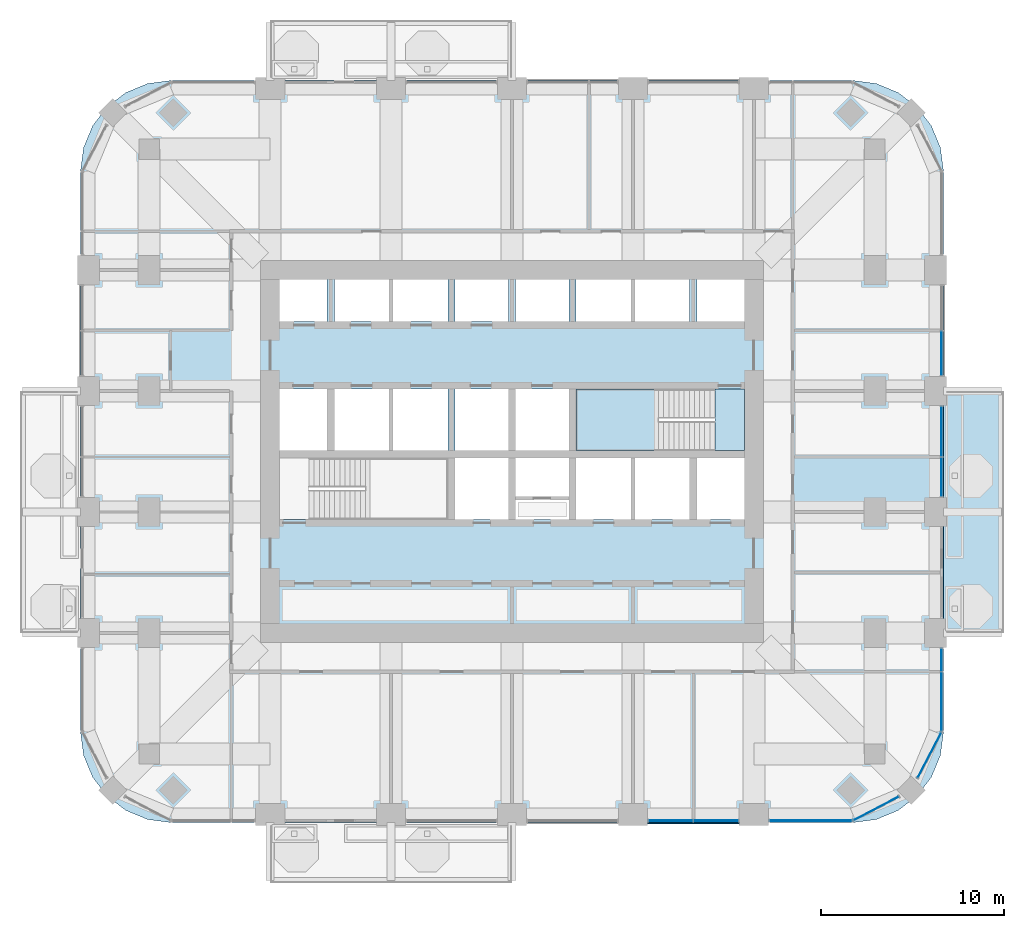
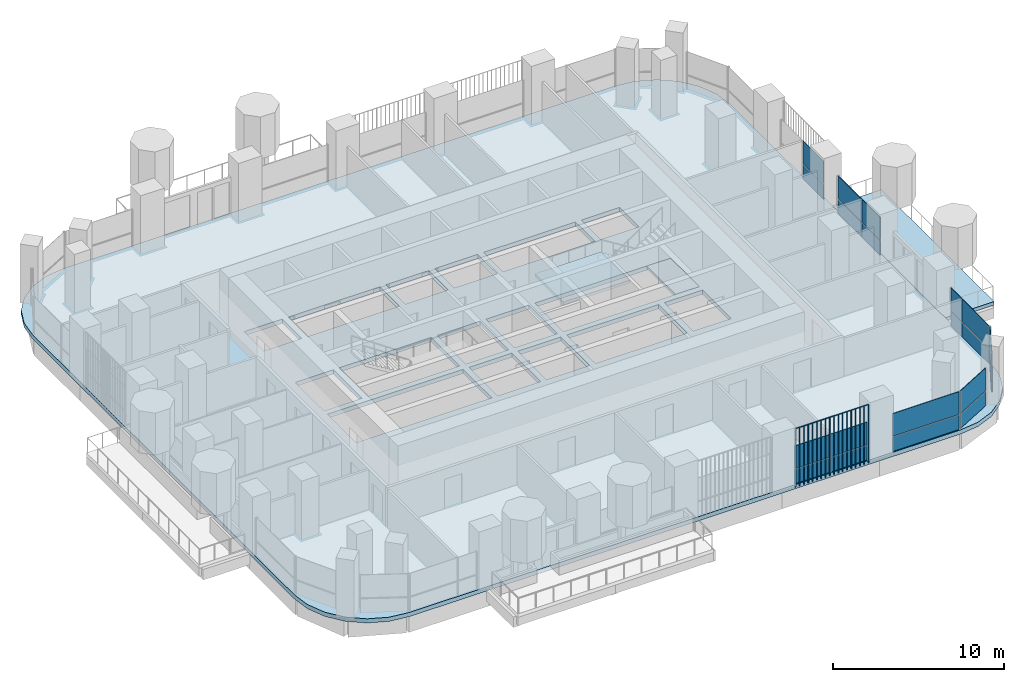
# One storey, part 9 of 20: 21 plates, 4 slabs, 8 elements without a shape of their own.
"""IFC4 building model written with IfcOpenShell, lengths in metres."""

from ifc_helpers import new_model, si_unit, direction, frame, origin, origin_2d, place, context, subcontext, project, spatial, polyline, rectangle, outline, extrude, material, layer, layer_set, type_object, element, aggregate, save


model = new_model("IFC4")

# Units and contexts
model_context = context("Model", 3, precision=1e-05, world=origin(), true_north=direction((0.0, 1.0)))
body_context = subcontext(model_context, "Body", "Model", "MODEL_VIEW")
ifc_project = project(units=[si_unit("LENGTHUNIT", "METRE"), si_unit("AREAUNIT", "SQUARE_METRE"), si_unit("VOLUMEUNIT", "CUBIC_METRE"), si_unit("PLANEANGLEUNIT", "RADIAN"), si_unit("MASSUNIT", "GRAM", prefix="KILO")], contexts=[model_context])

# Site, building, storey
site_placement = place(None, origin())
site = spatial("IfcSite", under=ifc_project, at=site_placement, CompositionType="ELEMENT")
building_placement = place(site_placement, origin())
building = spatial("IfcBuilding", under=site, at=building_placement, Name="Cobogo Forest Laboratory Tower", CompositionType="ELEMENT")
storey_placement = place(building_placement, frame((0.0, 0.0, 185.10009765625)))
storey = spatial("IfcBuildingStorey", under=building, at=storey_placement, Name="L42", CompositionType="ELEMENT", Elevation=185.10009765625)

# Slabs
ifc_material_1 = material(Name="Concrete HA-40 (C40/50)", Category="concrete")
ifc_layer_1 = layer(ifc_material_1, 0.25)
ifc_layer_set_1 = layer_set([ifc_layer_1], Name="Balcony slab 250")
slab_type_1 = type_object("IfcSlabType", Name="Balcony slab 250", PredefinedType="FLOOR", material=ifc_layer_set_1)
slab_1_placement = place(storey_placement, frame((0.0, 0.0, -0.25)))
element("IfcSlab", 1, at=slab_1_placement, inside=storey, type_object=slab_type_1, Name="Balcony BAL-E1 L42", PredefinedType="FLOOR", context=body_context, shape_type="SweptSolid", body=[
    extrude(outline(polyline([(49.949951171875, 13.199951171875), (53.25, 13.199951171875), (53.25, 26.39990234375), (49.949951171875, 26.39990234375), (49.949951171875, 13.199951171875)])), origin(), (0.0, 0.0, 1.0), 0.25),
])
ifc_layer_2 = layer(ifc_material_1, 0.300048828125)
ifc_layer_set_2 = layer_set([ifc_layer_2], Name="Floor slab 300")
slab_type_2 = type_object("IfcSlabType", Name="Floor slab 300", PredefinedType="FLOOR", material=ifc_layer_set_2)
slab_2_placement = place(storey_placement, frame((0.0, 0.0, -0.300048828125)))
element("IfcSlab", 2, at=slab_2_placement, inside=storey, type_object=slab_type_2, Name="L42 floor slab", PredefinedType="FLOOR", context=body_context, shape_type="SweptSolid", body=[
    extrude(outline(polyline([(45.0, 2.85009765625), (46.28125, 3.0185546875), (47.47509765625, 3.51318359375), (48.500244140625, 4.2998046875), (49.286865234375, 5.324951171875), (49.78125, 6.518798828125), (49.949951171875, 7.800048828125), (49.949951171875, 38.39990234375), (49.78125, 39.68115234375), (49.286865234375, 40.875), (48.500244140625, 41.900146484375), (47.47509765625, 42.686767578125), (46.28125, 43.181396484375), (45.0, 43.35009765625), (7.800048828125, 43.35009765625), (6.518798828125, 43.181396484375), (5.324951171875, 42.686767578125), (4.2998046875, 41.900146484375), (3.51318359375, 40.875), (3.0185546875, 39.68115234375), (2.85009765625, 38.39990234375), (2.85009765625, 7.800048828125), (3.0185546875, 6.518798828125), (3.51318359375, 5.324951171875), (4.2998046875, 4.2998046875), (5.324951171875, 3.51318359375), (6.518798828125, 3.0185546875), (7.800048828125, 2.85009765625), (45.0, 2.85009765625)]), holes=[polyline([(22.89990234375, 19.39990234375), (13.72509765625, 19.39990234375), (13.72509765625, 22.75), (22.89990234375, 22.75), (22.89990234375, 19.39990234375)]), polyline([(26.199951171875, 19.39990234375), (23.300048828125, 19.39990234375), (23.300048828125, 22.75), (26.199951171875, 22.75), (26.199951171875, 19.39990234375)]), polyline([(29.5, 19.39990234375), (26.60009765625, 19.39990234375), (26.60009765625, 22.75), (29.5, 22.75), (29.5, 19.39990234375)]), polyline([(36.10009765625, 22.75), (36.10009765625, 19.39990234375), (29.89990234375, 19.39990234375), (29.89990234375, 22.75), (36.10009765625, 22.75)]), polyline([(36.5, 19.39990234375), (36.5, 22.75), (39.074951171875, 22.75), (39.074951171875, 19.39990234375), (36.5, 19.39990234375)]), polyline([(16.300048828125, 23.14990234375), (13.72509765625, 23.14990234375), (13.72509765625, 26.5), (16.300048828125, 26.5), (16.300048828125, 23.14990234375)]), polyline([(22.89990234375, 26.5), (22.89990234375, 23.14990234375), (16.699951171875, 23.14990234375), (16.699951171875, 26.5), (22.89990234375, 26.5)]), polyline([(26.199951171875, 23.14990234375), (23.300048828125, 23.14990234375), (23.300048828125, 26.5), (26.199951171875, 26.5), (26.199951171875, 23.14990234375)]), polyline([(26.60009765625, 23.14990234375), (26.60009765625, 26.5), (29.5, 26.5), (29.5, 23.14990234375), (26.60009765625, 23.14990234375)]), polyline([(39.074951171875, 23.14990234375), (29.89990234375, 23.14990234375), (29.89990234375, 26.5), (39.074951171875, 26.5), (39.074951171875, 23.14990234375)]), polyline([(16.300048828125, 30.199951171875), (13.72509765625, 30.199951171875), (13.72509765625, 32.47509765625), (16.300048828125, 32.47509765625), (16.300048828125, 30.199951171875)]), polyline([(22.89990234375, 32.47509765625), (22.89990234375, 30.199951171875), (16.699951171875, 30.199951171875), (16.699951171875, 32.47509765625), (22.89990234375, 32.47509765625)]), polyline([(23.300048828125, 30.199951171875), (23.300048828125, 32.47509765625), (26.199951171875, 32.47509765625), (26.199951171875, 30.199951171875), (23.300048828125, 30.199951171875)]), polyline([(29.5, 30.199951171875), (26.60009765625, 30.199951171875), (26.60009765625, 32.47509765625), (29.5, 32.47509765625), (29.5, 30.199951171875)]), polyline([(36.10009765625, 32.47509765625), (36.10009765625, 30.199951171875), (29.89990234375, 30.199951171875), (29.89990234375, 32.47509765625), (36.10009765625, 32.47509765625)]), polyline([(36.5, 30.199951171875), (36.5, 32.47509765625), (39.074951171875, 32.47509765625), (39.074951171875, 30.199951171875), (36.5, 30.199951171875)])]), origin(), (0.0, 0.0, 1.0), 0.300048828125),
])

# Curtain wall, plates
ifc_material_2 = material(Name="Aluminium curtain wall", Category="aluminium")
curtain_wall_type = type_object("IfcCurtainWallType", Name="CW-2 unitised curtain wall, solar control glazing, laboratory floors zones C and D", PredefinedType="USERDEFINED", material=ifc_material_2)
curtain_wall_1_placement = place(storey_placement, origin())
curtain_wall_1 = element("IfcCurtainWall", 3, at=curtain_wall_1_placement, inside=storey, type_object=curtain_wall_type, Name="Curtain wall 05 L42", ObjectType="UNITISED CURTAIN WALL", PredefinedType="USERDEFINED")
ifc_material_3 = material(Name="Solar control insulated glass", Category="glass")
ifc_layer_3 = layer(ifc_material_3, 0.031982421875)
ifc_layer_set_3 = layer_set([ifc_layer_3], Name="GP-2 solar control glass unit 32")
plate_type_1 = type_object("IfcPlateType", Name="GP-2 solar control glass unit 32", PredefinedType="CURTAIN_PANEL", material=ifc_layer_set_3)
plate_1_placement = place(storey_placement, frame((35.06494140625, 2.949951171875, 0.0), z_axis=(0.0, 0.0, 1.0), x_axis=(1.0, 0.0, 0.0)))
plate_1 = element("IfcPlate", 4, at=plate_1_placement, type_object=plate_type_1, Name="CW-2 panel 1.1", PredefinedType="CURTAIN_PANEL", context=body_context, shape_type="SweptSolid", body=[
    extrude(rectangle(XDim=2.409912109375, YDim=0.031982421875, at=origin_2d()), origin(), (0.0, 0.0, 1.0), 1.02001953125),
])
plate_2_placement = place(storey_placement, frame((35.06494140625, 2.949951171875, 1.079833984375), z_axis=(0.0, 0.0, 1.0), x_axis=(1.0, 0.0, 0.0)))
plate_2 = element("IfcPlate", 5, at=plate_2_placement, type_object=plate_type_1, Name="CW-2 panel 1.2", PredefinedType="CURTAIN_PANEL", context=body_context, shape_type="SweptSolid", body=[
    extrude(rectangle(XDim=2.409912109375, YDim=0.031982421875, at=origin_2d()), origin(), (0.0, 0.0, 1.0), 1.6201171875),
])
plate_3_placement = place(storey_placement, frame((37.534912109375, 2.949951171875, 0.0), z_axis=(0.0, 0.0, 1.0), x_axis=(1.0, 0.0, 0.0)))
plate_3 = element("IfcPlate", 6, at=plate_3_placement, type_object=plate_type_1, Name="CW-2 panel 2.1", PredefinedType="CURTAIN_PANEL", context=body_context, shape_type="SweptSolid", body=[
    extrude(rectangle(XDim=2.409912109375, YDim=0.031982421875, at=origin_2d()), origin(), (0.0, 0.0, 1.0), 1.02001953125),
])
plate_4_placement = place(storey_placement, frame((37.534912109375, 2.949951171875, 1.079833984375), z_axis=(0.0, 0.0, 1.0), x_axis=(1.0, 0.0, 0.0)))
plate_4 = element("IfcPlate", 7, at=plate_4_placement, type_object=plate_type_1, Name="CW-2 panel 2.2", PredefinedType="CURTAIN_PANEL", context=body_context, shape_type="SweptSolid", body=[
    extrude(rectangle(XDim=2.409912109375, YDim=0.031982421875, at=origin_2d()), origin(), (0.0, 0.0, 1.0), 1.6201171875),
])
aggregate(curtain_wall_1, [plate_1, plate_2, plate_3, plate_4])

curtain_wall_2_placement = place(storey_placement, origin())
curtain_wall_2 = element("IfcCurtainWall", 8, at=curtain_wall_2_placement, inside=storey, type_object=curtain_wall_type, Name="Curtain wall 06 L42", ObjectType="UNITISED CURTAIN WALL", PredefinedType="USERDEFINED")
plate_5_placement = place(storey_placement, frame((42.699951171875, 2.949951171875, 0.0), z_axis=(0.0, 0.0, 1.0), x_axis=(1.0, 0.0, 0.0)))
plate_5 = element("IfcPlate", 9, at=plate_5_placement, type_object=plate_type_1, Name="CW-2 panel 1.1", PredefinedType="CURTAIN_PANEL", context=body_context, shape_type="SweptSolid", body=[
    extrude(rectangle(XDim=4.47998046875, YDim=0.031982421875, at=origin_2d()), origin(), (0.0, 0.0, 1.0), 1.02001953125),
])
plate_6_placement = place(storey_placement, frame((42.699951171875, 2.949951171875, 1.079833984375), z_axis=(0.0, 0.0, 1.0), x_axis=(1.0, 0.0, 0.0)))
plate_6 = element("IfcPlate", 10, at=plate_6_placement, type_object=plate_type_1, Name="CW-2 panel 1.2", PredefinedType="CURTAIN_PANEL", context=body_context, shape_type="SweptSolid", body=[
    extrude(rectangle(XDim=4.47998046875, YDim=0.031982421875, at=origin_2d()), origin(), (0.0, 0.0, 1.0), 1.6201171875),
])
aggregate(curtain_wall_2, [plate_5, plate_6])

curtain_wall_3_placement = place(storey_placement, origin())
curtain_wall_3 = element("IfcCurtainWall", 11, at=curtain_wall_3_placement, inside=storey, type_object=curtain_wall_type, Name="Curtain wall 07 L42", ObjectType="UNITISED CURTAIN WALL", PredefinedType="USERDEFINED")
plate_7_placement = place(storey_placement, frame((46.275634765625, 3.61865234375, 0.0), z_axis=(0.0, 0.0, 1.0), x_axis=(0.885686484356, 0.464283804832, 0.0)))
plate_7 = element("IfcPlate", 12, at=plate_7_placement, type_object=plate_type_1, Name="CW-2 panel 1.1", PredefinedType="CURTAIN_PANEL", context=body_context, shape_type="SweptSolid", body=[
    extrude(rectangle(XDim=2.76025390625, YDim=0.031982421875, at=origin_2d()), origin(), (0.0, 0.0, 1.0), 1.02001953125),
])
plate_8_placement = place(storey_placement, frame((46.275634765625, 3.61865234375, 1.079833984375), z_axis=(0.0, 0.0, 1.0), x_axis=(0.885686484356, 0.464283804832, 0.0)))
plate_8 = element("IfcPlate", 13, at=plate_8_placement, type_object=plate_type_1, Name="CW-2 panel 1.2", PredefinedType="CURTAIN_PANEL", context=body_context, shape_type="SweptSolid", body=[
    extrude(rectangle(XDim=2.76025390625, YDim=0.031982421875, at=origin_2d()), origin(), (0.0, 0.0, 1.0), 1.6201171875),
])
aggregate(curtain_wall_3, [plate_7, plate_8])

curtain_wall_4_placement = place(storey_placement, origin())
curtain_wall_4 = element("IfcCurtainWall", 14, at=curtain_wall_4_placement, inside=storey, type_object=curtain_wall_type, Name="Curtain wall 08 L42", ObjectType="UNITISED CURTAIN WALL", PredefinedType="USERDEFINED")
plate_9_placement = place(storey_placement, frame((49.181396484375, 6.5244140625, 0.0), z_axis=(0.0, 0.0, 1.0), x_axis=(0.464283804832, 0.885686484356, 0.0)))
plate_9 = element("IfcPlate", 15, at=plate_9_placement, type_object=plate_type_1, Name="CW-2 panel 1.1", PredefinedType="CURTAIN_PANEL", context=body_context, shape_type="SweptSolid", body=[
    extrude(rectangle(XDim=2.76025390625, YDim=0.031982421875, at=origin_2d()), origin(), (0.0, 0.0, 1.0), 1.02001953125),
])
plate_10_placement = place(storey_placement, frame((49.181396484375, 6.5244140625, 1.079833984375), z_axis=(0.0, 0.0, 1.0), x_axis=(0.464283804832, 0.885686484356, 0.0)))
plate_10 = element("IfcPlate", 16, at=plate_10_placement, type_object=plate_type_1, Name="CW-2 panel 1.2", PredefinedType="CURTAIN_PANEL", context=body_context, shape_type="SweptSolid", body=[
    extrude(rectangle(XDim=2.76025390625, YDim=0.031982421875, at=origin_2d()), origin(), (0.0, 0.0, 1.0), 1.6201171875),
])
aggregate(curtain_wall_4, [plate_9, plate_10])

curtain_wall_5_placement = place(storey_placement, origin())
curtain_wall_5 = element("IfcCurtainWall", 17, at=curtain_wall_5_placement, inside=storey, type_object=curtain_wall_type, Name="Curtain wall 09 L42", ObjectType="UNITISED CURTAIN WALL", PredefinedType="USERDEFINED")
plate_11_placement = place(storey_placement, frame((49.85009765625, 9.452392578125, 0.0), z_axis=(0.0, 0.0, 1.0), x_axis=(0.0, 1.0, 0.0)))
plate_11 = element("IfcPlate", 18, at=plate_11_placement, type_object=plate_type_1, Name="CW-2 panel 1.1", PredefinedType="CURTAIN_PANEL", context=body_context, shape_type="SweptSolid", body=[
    extrude(rectangle(XDim=3.18505859375, YDim=0.031982421875, at=origin_2d()), origin(), (0.0, 0.0, 1.0), 1.02001953125),
])
plate_12_placement = place(storey_placement, frame((49.85009765625, 9.452392578125, 1.079833984375), z_axis=(0.0, 0.0, 1.0), x_axis=(0.0, 1.0, 0.0)))
plate_12 = element("IfcPlate", 19, at=plate_12_placement, type_object=plate_type_1, Name="CW-2 panel 1.2", PredefinedType="CURTAIN_PANEL", context=body_context, shape_type="SweptSolid", body=[
    extrude(rectangle(XDim=3.18505859375, YDim=0.031982421875, at=origin_2d()), origin(), (0.0, 0.0, 1.0), 1.6201171875),
])
plate_13_placement = place(storey_placement, frame((49.85009765625, 11.722412109375, 0.0), z_axis=(0.0, 0.0, 1.0), x_axis=(0.0, 1.0, 0.0)))
plate_13 = element("IfcPlate", 20, at=plate_13_placement, type_object=plate_type_1, Name="CW-2 panel 2.1", PredefinedType="CURTAIN_PANEL", context=body_context, shape_type="SweptSolid", body=[
    extrude(rectangle(XDim=1.235107421875, YDim=0.031982421875, at=origin_2d()), origin(), (0.0, 0.0, 1.0), 1.02001953125),
])
plate_14_placement = place(storey_placement, frame((49.85009765625, 11.722412109375, 1.079833984375), z_axis=(0.0, 0.0, 1.0), x_axis=(0.0, 1.0, 0.0)))
plate_14 = element("IfcPlate", 21, at=plate_14_placement, type_object=plate_type_1, Name="CW-2 panel 2.2", PredefinedType="CURTAIN_PANEL", context=body_context, shape_type="SweptSolid", body=[
    extrude(rectangle(XDim=1.235107421875, YDim=0.031982421875, at=origin_2d()), origin(), (0.0, 0.0, 1.0), 1.6201171875),
])
aggregate(curtain_wall_5, [plate_11, plate_12, plate_13, plate_14])

curtain_wall_6_placement = place(storey_placement, origin())
curtain_wall_6 = element("IfcCurtainWall", 22, at=curtain_wall_6_placement, inside=storey, type_object=curtain_wall_type, Name="Curtain wall 11 L42", ObjectType="UNITISED CURTAIN WALL", PredefinedType="USERDEFINED")
plate_15_placement = place(storey_placement, frame((49.85009765625, 21.715087890625, 0.0), z_axis=(0.0, 0.0, 1.0), x_axis=(0.0, 1.0, 0.0)))
plate_15 = element("IfcPlate", 23, at=plate_15_placement, type_object=plate_type_1, Name="CW-2 panel 1.1", PredefinedType="CURTAIN_PANEL", context=body_context, shape_type="SweptSolid", body=[
    extrude(rectangle(XDim=2.110107421875, YDim=0.031982421875, at=origin_2d()), origin(), (0.0, 0.0, 1.0), 1.02001953125),
])
plate_16_placement = place(storey_placement, frame((49.85009765625, 21.715087890625, 1.079833984375), z_axis=(0.0, 0.0, 1.0), x_axis=(0.0, 1.0, 0.0)))
plate_16 = element("IfcPlate", 24, at=plate_16_placement, type_object=plate_type_1, Name="CW-2 panel 1.2", PredefinedType="CURTAIN_PANEL", context=body_context, shape_type="SweptSolid", body=[
    extrude(rectangle(XDim=2.110107421875, YDim=0.031982421875, at=origin_2d()), origin(), (0.0, 0.0, 1.0), 1.6201171875),
])
plate_17_placement = place(storey_placement, frame((49.85009765625, 24.18505859375, 0.0), z_axis=(0.0, 0.0, 1.0), x_axis=(0.0, 1.0, 0.0)))
plate_17 = element("IfcPlate", 25, at=plate_17_placement, type_object=plate_type_1, Name="CW-2 panel 2.1", PredefinedType="CURTAIN_PANEL", context=body_context, shape_type="SweptSolid", body=[
    extrude(rectangle(XDim=2.7099609375, YDim=0.031982421875, at=origin_2d()), origin(), (0.0, 0.0, 1.0), 1.02001953125),
])
plate_18_placement = place(storey_placement, frame((49.85009765625, 24.18505859375, 1.079833984375), z_axis=(0.0, 0.0, 1.0), x_axis=(0.0, 1.0, 0.0)))
plate_18 = element("IfcPlate", 26, at=plate_18_placement, type_object=plate_type_1, Name="CW-2 panel 2.2", PredefinedType="CURTAIN_PANEL", context=body_context, shape_type="SweptSolid", body=[
    extrude(rectangle(XDim=2.7099609375, YDim=0.031982421875, at=origin_2d()), origin(), (0.0, 0.0, 1.0), 1.6201171875),
])
aggregate(curtain_wall_6, [plate_15, plate_16, plate_17, plate_18])

curtain_wall_7_placement = place(storey_placement, origin())
curtain_wall_7 = element("IfcCurtainWall", 27, at=curtain_wall_7_placement, inside=storey, type_object=curtain_wall_type, Name="Curtain wall 12 L42", ObjectType="UNITISED CURTAIN WALL", PredefinedType="USERDEFINED")
plate_19_placement = place(storey_placement, frame((49.85009765625, 28.465087890625, 0.0), z_axis=(0.0, 0.0, 1.0), x_axis=(0.0, 1.0, 0.0)))
plate_19 = element("IfcPlate", 28, at=plate_19_placement, type_object=plate_type_1, Name="CW-2 panel 1.1", PredefinedType="CURTAIN_PANEL", context=body_context, shape_type="SweptSolid", body=[
    extrude(rectangle(XDim=2.409912109375, YDim=0.031982421875, at=origin_2d()), origin(), (0.0, 0.0, 1.0), 1.02001953125),
])
plate_20_placement = place(storey_placement, frame((49.85009765625, 28.465087890625, 1.079833984375), z_axis=(0.0, 0.0, 1.0), x_axis=(0.0, 1.0, 0.0)))
plate_20 = element("IfcPlate", 29, at=plate_20_placement, type_object=plate_type_1, Name="CW-2 panel 1.2", PredefinedType="CURTAIN_PANEL", context=body_context, shape_type="SweptSolid", body=[
    extrude(rectangle(XDim=2.409912109375, YDim=0.031982421875, at=origin_2d()), origin(), (0.0, 0.0, 1.0), 1.6201171875),
])
aggregate(curtain_wall_7, [plate_19, plate_20])

# Stair, slabs
ifc_material_4 = material(Name="Precast concrete HA-40 (C40/50)", Category="concrete")
stair_type = type_object("IfcStairType", Name="ST24 exit stair 24 risers", PredefinedType="HALF_TURN_STAIR", material=ifc_material_4)
stair_placement = place(storey_placement, origin())
stair = element("IfcStair", 30, at=stair_placement, inside=storey, type_object=stair_type, Name="Stair 2 L42 to L43", PredefinedType="HALF_TURN_STAIR")
ifc_layer_4 = layer(ifc_material_1, 0.199951171875)
ifc_layer_set_4 = layer_set([ifc_layer_4], Name="SL stair landing 200")
slab_type_3 = type_object("IfcSlabType", Name="SL stair landing 200", PredefinedType="LANDING", material=ifc_layer_set_4)
slab_3_placement = place(storey_placement, frame((0.0, 0.0, -0.2001953125)))
slab_3 = element("IfcSlab", 31, at=slab_3_placement, type_object=slab_type_3, Name="ST2 landing 1", PredefinedType="LANDING", context=body_context, shape_type="SweptSolid", body=[
    extrude(outline(polyline([(37.472900390625, 23.14990234375), (39.074951171875, 23.14990234375), (39.074951171875, 26.5), (37.472900390625, 26.5), (37.472900390625, 23.14990234375)])), origin(), (0.0, 0.0, 1.0), 0.2001953125),
])
slab_4_placement = place(storey_placement, frame((0.0, 0.0, 1.89990234375)))
slab_4 = element("IfcSlab", 32, at=slab_4_placement, type_object=slab_type_3, Name="ST2 landing 2", PredefinedType="LANDING", context=body_context, shape_type="SweptSolid", body=[
    extrude(outline(polyline([(29.89990234375, 23.14990234375), (34.39697265625, 23.14990234375), (34.39697265625, 26.5), (29.89990234375, 26.5), (29.89990234375, 23.14990234375)])), origin(), (0.0, 0.0, 1.0), 0.199951171875),
])
aggregate(stair, [slab_3, slab_4])

# Plate
ifc_material_5 = material(Name="Terracotta", Category="masonry")
plate_type_2 = type_object("IfcPlateType", Name="TB1 terracotta baguette screen", PredefinedType="USERDEFINED", material=ifc_material_5)
plate_21_placement = place(storey_placement, frame((33.831298828125, 2.822021484375, -0.150146484375)))
element("IfcPlate", 33, at=plate_21_placement, inside=storey, type_object=plate_type_2, Name="Baguette screen S4 L42", ObjectType="BAGUETTE SCREEN", PredefinedType="USERDEFINED", context=body_context, shape_type="SweptSolid", body=[
    extrude(outline(polyline([(0.02880859375, 0.011962890625), (0.011962890625, 0.02880859375), (-0.011962890625, 0.02880859375), (-0.02880859375, 0.011962890625), (-0.02880859375, -0.011962890625), (-0.011962890625, -0.02880859375), (0.011962890625, -0.02880859375), (0.02880859375, -0.011962890625), (0.02880859375, 0.011962890625)])), frame((0.0, 0.0, 4.168701171875), z_axis=(1.0, 0.0, 0.0), x_axis=(0.0, 1.0, 0.0)), (0.0, 0.0, 1.0), 4.9375),
    extrude(outline(polyline([(0.02880859375, 0.011962890625), (0.011962890625, 0.02880859375), (-0.011962890625, 0.02880859375), (-0.02880859375, 0.011962890625), (-0.02880859375, -0.011962890625), (-0.011962890625, -0.02880859375), (0.011962890625, -0.02880859375), (0.02880859375, -0.011962890625), (0.02880859375, 0.011962890625)])), origin(), (0.0, 0.0, 1.0), 4.137451171875),
    extrude(outline(polyline([(0.02880859375, 0.011962890625), (0.011962890625, 0.02880859375), (-0.011962890625, 0.02880859375), (-0.02880859375, 0.011962890625), (-0.02880859375, -0.011962890625), (-0.011962890625, -0.02880859375), (0.011962890625, -0.02880859375), (0.02880859375, -0.011962890625), (0.02880859375, 0.011962890625)])), frame((0.29052734375, 0.0, 0.0)), (0.0, 0.0, 1.0), 4.137451171875),
    extrude(outline(polyline([(0.02880859375, 0.011962890625), (0.011962890625, 0.02880859375), (-0.011962890625, 0.02880859375), (-0.02880859375, 0.011962890625), (-0.02880859375, -0.011962890625), (-0.011962890625, -0.02880859375), (0.011962890625, -0.02880859375), (0.02880859375, -0.011962890625), (0.02880859375, 0.011962890625)])), frame((0.580810546875, 0.0, 0.0)), (0.0, 0.0, 1.0), 4.137451171875),
    extrude(outline(polyline([(0.02880859375, 0.011962890625), (0.011962890625, 0.02880859375), (-0.011962890625, 0.02880859375), (-0.02880859375, 0.011962890625), (-0.02880859375, -0.011962890625), (-0.011962890625, -0.02880859375), (0.011962890625, -0.02880859375), (0.02880859375, -0.011962890625), (0.02880859375, 0.011962890625)])), frame((0.871337890625, 0.0, 0.0)), (0.0, 0.0, 1.0), 4.137451171875),
    extrude(outline(polyline([(0.02880859375, 0.011962890625), (0.011962890625, 0.02880859375), (-0.011962890625, 0.02880859375), (-0.02880859375, 0.011962890625), (-0.02880859375, -0.011962890625), (-0.011962890625, -0.02880859375), (0.011962890625, -0.02880859375), (0.02880859375, -0.011962890625), (0.02880859375, 0.011962890625)])), frame((1.161865234375, 0.0, 0.0)), (0.0, 0.0, 1.0), 4.137451171875),
    extrude(outline(polyline([(0.02880859375, 0.011962890625), (0.011962890625, 0.02880859375), (-0.011962890625, 0.02880859375), (-0.02880859375, 0.011962890625), (-0.02880859375, -0.011962890625), (-0.011962890625, -0.02880859375), (0.011962890625, -0.02880859375), (0.02880859375, -0.011962890625), (0.02880859375, 0.011962890625)])), frame((1.4521484375, 0.0, 0.0)), (0.0, 0.0, 1.0), 4.137451171875),
    extrude(outline(polyline([(0.02880859375, 0.011962890625), (0.011962890625, 0.02880859375), (-0.011962890625, 0.02880859375), (-0.02880859375, 0.011962890625), (-0.02880859375, -0.011962890625), (-0.011962890625, -0.02880859375), (0.011962890625, -0.02880859375), (0.02880859375, -0.011962890625), (0.02880859375, 0.011962890625)])), frame((1.74267578125, 0.0, 0.0)), (0.0, 0.0, 1.0), 4.137451171875),
    extrude(outline(polyline([(0.02880859375, 0.011962890625), (0.011962890625, 0.02880859375), (-0.011962890625, 0.02880859375), (-0.02880859375, 0.011962890625), (-0.02880859375, -0.011962890625), (-0.011962890625, -0.02880859375), (0.011962890625, -0.02880859375), (0.02880859375, -0.011962890625), (0.02880859375, 0.011962890625)])), frame((2.033203125, 0.0, 0.0)), (0.0, 0.0, 1.0), 4.137451171875),
    extrude(outline(polyline([(0.02880859375, 0.011962890625), (0.011962890625, 0.02880859375), (-0.011962890625, 0.02880859375), (-0.02880859375, 0.011962890625), (-0.02880859375, -0.011962890625), (-0.011962890625, -0.02880859375), (0.011962890625, -0.02880859375), (0.02880859375, -0.011962890625), (0.02880859375, 0.011962890625)])), frame((2.323486328125, 0.0, 0.0)), (0.0, 0.0, 1.0), 4.137451171875),
    extrude(outline(polyline([(0.02880859375, 0.011962890625), (0.011962890625, 0.02880859375), (-0.011962890625, 0.02880859375), (-0.02880859375, 0.011962890625), (-0.02880859375, -0.011962890625), (-0.011962890625, -0.02880859375), (0.011962890625, -0.02880859375), (0.02880859375, -0.011962890625), (0.02880859375, 0.011962890625)])), frame((2.614013671875, 0.0, 0.0)), (0.0, 0.0, 1.0), 4.137451171875),
    extrude(outline(polyline([(0.02880859375, 0.011962890625), (0.011962890625, 0.02880859375), (-0.011962890625, 0.02880859375), (-0.02880859375, 0.011962890625), (-0.02880859375, -0.011962890625), (-0.011962890625, -0.02880859375), (0.011962890625, -0.02880859375), (0.02880859375, -0.011962890625), (0.02880859375, 0.011962890625)])), frame((2.904296875, 0.0, 0.0)), (0.0, 0.0, 1.0), 4.137451171875),
    extrude(outline(polyline([(0.02880859375, 0.011962890625), (0.011962890625, 0.02880859375), (-0.011962890625, 0.02880859375), (-0.02880859375, 0.011962890625), (-0.02880859375, -0.011962890625), (-0.011962890625, -0.02880859375), (0.011962890625, -0.02880859375), (0.02880859375, -0.011962890625), (0.02880859375, 0.011962890625)])), frame((3.19482421875, 0.0, 0.0)), (0.0, 0.0, 1.0), 4.137451171875),
    extrude(outline(polyline([(0.02880859375, 0.011962890625), (0.011962890625, 0.02880859375), (-0.011962890625, 0.02880859375), (-0.02880859375, 0.011962890625), (-0.02880859375, -0.011962890625), (-0.011962890625, -0.02880859375), (0.011962890625, -0.02880859375), (0.02880859375, -0.011962890625), (0.02880859375, 0.011962890625)])), frame((3.4853515625, 0.0, 0.0)), (0.0, 0.0, 1.0), 4.137451171875),
    extrude(outline(polyline([(0.02880859375, 0.011962890625), (0.011962890625, 0.02880859375), (-0.011962890625, 0.02880859375), (-0.02880859375, 0.011962890625), (-0.02880859375, -0.011962890625), (-0.011962890625, -0.02880859375), (0.011962890625, -0.02880859375), (0.02880859375, -0.011962890625), (0.02880859375, 0.011962890625)])), frame((3.775634765625, 0.0, 0.0)), (0.0, 0.0, 1.0), 4.137451171875),
    extrude(outline(polyline([(0.02880859375, 0.011962890625), (0.011962890625, 0.02880859375), (-0.011962890625, 0.02880859375), (-0.02880859375, 0.011962890625), (-0.02880859375, -0.011962890625), (-0.011962890625, -0.02880859375), (0.011962890625, -0.02880859375), (0.02880859375, -0.011962890625), (0.02880859375, 0.011962890625)])), frame((4.066162109375, 0.0, 0.0)), (0.0, 0.0, 1.0), 4.137451171875),
    extrude(outline(polyline([(0.02880859375, 0.011962890625), (0.011962890625, 0.02880859375), (-0.011962890625, 0.02880859375), (-0.02880859375, 0.011962890625), (-0.02880859375, -0.011962890625), (-0.011962890625, -0.02880859375), (0.011962890625, -0.02880859375), (0.02880859375, -0.011962890625), (0.02880859375, 0.011962890625)])), frame((4.356689453125, 0.0, 0.0)), (0.0, 0.0, 1.0), 4.137451171875),
    extrude(outline(polyline([(0.02880859375, 0.011962890625), (0.011962890625, 0.02880859375), (-0.011962890625, 0.02880859375), (-0.02880859375, 0.011962890625), (-0.02880859375, -0.011962890625), (-0.011962890625, -0.02880859375), (0.011962890625, -0.02880859375), (0.02880859375, -0.011962890625), (0.02880859375, 0.011962890625)])), frame((4.64697265625, 0.0, 0.0)), (0.0, 0.0, 1.0), 4.137451171875),
    extrude(outline(polyline([(0.02880859375, 0.011962890625), (0.011962890625, 0.02880859375), (-0.011962890625, 0.02880859375), (-0.02880859375, 0.011962890625), (-0.02880859375, -0.011962890625), (-0.011962890625, -0.02880859375), (0.011962890625, -0.02880859375), (0.02880859375, -0.011962890625), (0.02880859375, 0.011962890625)])), frame((4.9375, 0.0, 0.0)), (0.0, 0.0, 1.0), 4.137451171875),
])

save(model, "model.ifc")
